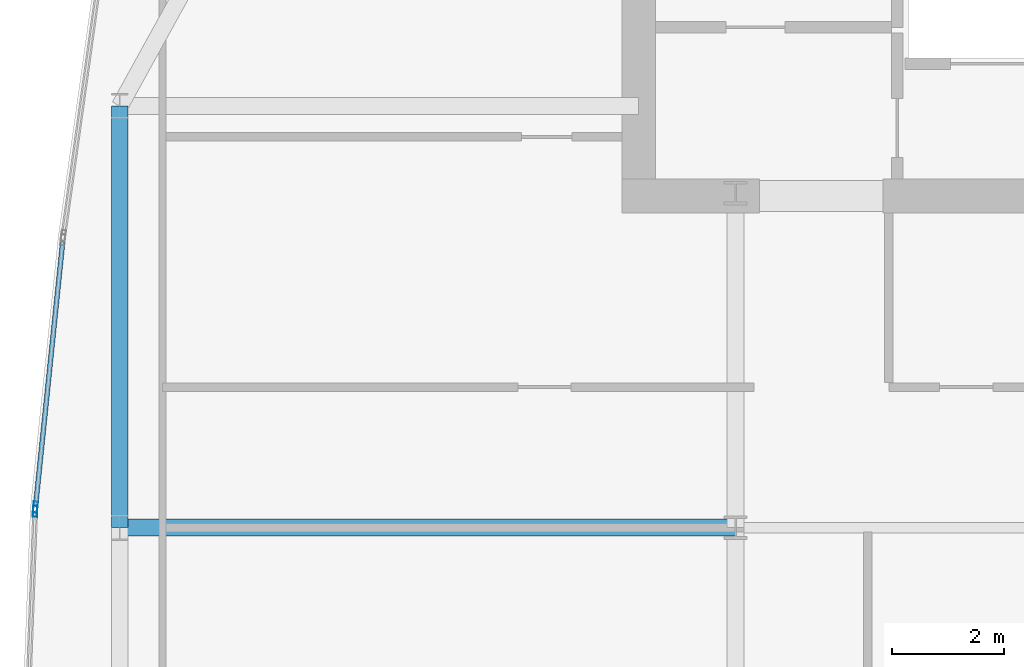
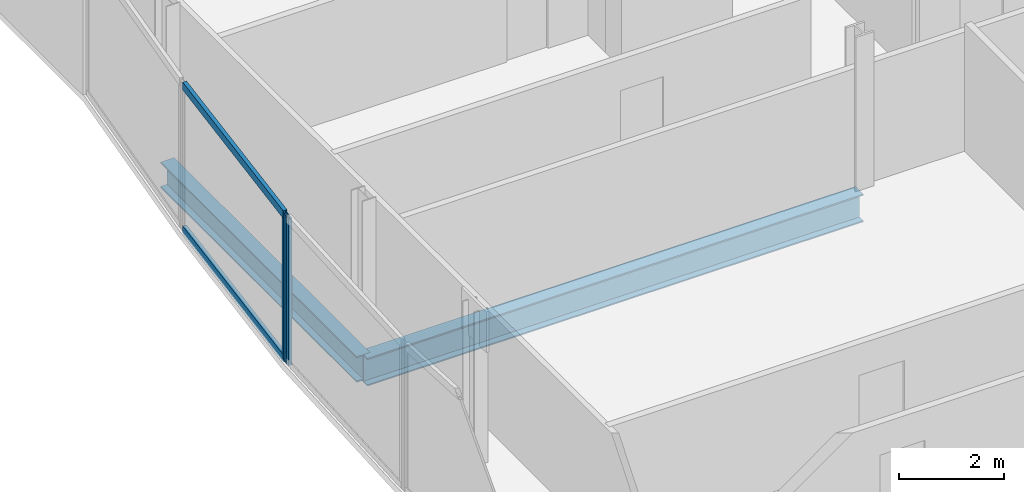
# One storey, part 12 of 32: 4 members, 2 beams, 2 elements without a shape of their own.
"""IFC4 building model written with IfcOpenShell, lengths in metres."""

from ifc_helpers import new_model, si_unit, direction, frame, origin, origin_2d, place, context, subcontext, project, spatial, hollow_rectangle, i_section, extrude, material, material_profile, profile_set, type_object, element, aggregate, save


model = new_model("IFC4")

# Units and contexts
model_context = context("Model", 3, precision=1e-05, world=origin(), true_north=direction((0.0, 1.0)))
body_context = subcontext(model_context, "Body", "Model", "MODEL_VIEW")
ifc_project = project(units=[si_unit("LENGTHUNIT", "METRE"), si_unit("AREAUNIT", "SQUARE_METRE"), si_unit("VOLUMEUNIT", "CUBIC_METRE"), si_unit("PLANEANGLEUNIT", "RADIAN"), si_unit("MASSUNIT", "GRAM", prefix="KILO")], contexts=[model_context])

# Site, building, storey
site_placement = place(None, origin())
site = spatial("IfcSite", under=ifc_project, at=site_placement, CompositionType="ELEMENT")
building_placement = place(site_placement, origin())
building = spatial("IfcBuilding", under=site, at=building_placement, Name="Khoronbel Lancet Exchange", CompositionType="ELEMENT")
storey_placement = place(building_placement, frame((0.0, 0.0, 228.199951171875)))
storey = spatial("IfcBuildingStorey", under=building, at=storey_placement, Name="L58", CompositionType="ELEMENT", Elevation=228.199951171875)

# Beams
ifc_material_1 = material(Name="Steel S355", Category="steel")
ifc_material_profile_1 = material_profile(ifc_material_1, i_section(OverallWidth=0.300048828125, OverallDepth=0.64990234375, WebThickness=0.01611328125, FlangeThickness=0.031005859375, at=origin_2d()), Name="HEB 650")
ifc_profile_set_1 = profile_set([ifc_material_profile_1], Name="Steel S355")
beam_type_1 = type_object("IfcBeamType", Name="BM-BG4", PredefinedType="BEAM", material=ifc_profile_set_1)
beam_1_placement = place(storey_placement, frame((7.27001953125, 35.699951171875, -0.48486328125), z_axis=(1.0, 0.0, 0.0), x_axis=(0.0, 1.0, 0.0)))
element("IfcBeam", 1, at=beam_1_placement, inside=storey, type_object=beam_type_1, Name="Level L58 west lens tie girder LG4W", PredefinedType="BEAM", context=body_context, shape_type="SweptSolid", body=[
    extrude(i_section(OverallWidth=0.300048828125, OverallDepth=0.64990234375, WebThickness=0.01611328125, FlangeThickness=0.031005859375, at=origin_2d()), origin(), (0.0, 0.0, 1.0), 10.955078125),
])
ifc_material_profile_2 = material_profile(ifc_material_1, i_section(OverallWidth=0.300048828125, OverallDepth=0.60009765625, WebThickness=0.015380859375, FlangeThickness=0.030029296875, at=origin_2d()), Name="HEB 600")
ifc_profile_set_2 = profile_set([ifc_material_profile_2], Name="Steel S355")
beam_type_2 = type_object("IfcBeamType", Name="BM-BSP2", PredefinedType="SPANDREL", material=ifc_profile_set_2)
beam_2_placement = place(storey_placement, frame((7.27001953125, 43.199951171875, -0.4599609375), z_axis=(0.0, -1.0, 0.0), x_axis=(1.0, 0.0, 0.0)))
element("IfcBeam", 2, at=beam_2_placement, inside=storey, type_object=beam_type_2, Name="Level L58 perimeter spandrel beam SP17", PredefinedType="SPANDREL", context=body_context, shape_type="SweptSolid", body=[
    extrude(i_section(OverallWidth=0.300048828125, OverallDepth=0.60009765625, WebThickness=0.015380859375, FlangeThickness=0.030029296875, at=origin_2d()), origin(), (0.0, 0.0, 1.0), 7.5),
])

# Curtain wall, member
ifc_material_2 = material(Name="Low-E Solar Control Insulating Glass", Category="glass")
curtain_wall_type = type_object("IfcCurtainWallType", Name="CW-4", PredefinedType="NOTDEFINED", material=ifc_material_2)
curtain_wall_1_placement = place(storey_placement, origin())
curtain_wall_1 = element("IfcCurtainWall", 3, at=curtain_wall_1_placement, inside=storey, type_object=curtain_wall_type, Name="Unitised curtain wall CW-L58-E07", PredefinedType="NOTDEFINED")
ifc_material_3 = material(Name="Bronze-Anodised Aluminium 6063-T6", Category="aluminium")
ifc_material_profile_3 = material_profile(ifc_material_3, hollow_rectangle(XDim=0.074951171875, YDim=0.199951171875, WallThickness=0.0048828125, at=origin_2d()), Name="ALU MULLION 75x200")
ifc_profile_set_3 = profile_set([ifc_material_profile_3], Name="Bronze-Anodised Aluminium 6063-T6")
member_type_1 = type_object("IfcMemberType", Name="MEM-CWM2", PredefinedType="MULLION", material=ifc_profile_set_3)
member_1_placement = place(storey_placement, frame((5.7646484375, 35.989501953125, 0.0), z_axis=(0.0, 0.0, 1.0), x_axis=(-0.99929538512, 0.037533095775, 0.0)))
member_1 = element("IfcMember", 4, at=member_1_placement, type_object=member_type_1, Name="CW4 mullion 2", PredefinedType="MULLION", context=body_context, shape_type="SweptSolid", body=[
    extrude(hollow_rectangle(XDim=0.074951171875, YDim=0.199951171875, WallThickness=0.0048828125, at=origin_2d()), origin(), (0.0, 0.0, 1.0), 3.43994140625),
])
aggregate(curtain_wall_1, [member_1])

# Curtain wall, members
curtain_wall_2_placement = place(storey_placement, origin())
curtain_wall_2 = element("IfcCurtainWall", 5, at=curtain_wall_2_placement, inside=storey, type_object=curtain_wall_type, Name="Unitised curtain wall CW-L58-E08", PredefinedType="NOTDEFINED")
member_2_placement = place(storey_placement, frame((5.769775390625, 36.064208984375, 0.0), z_axis=(0.0, 0.0, 1.0), x_axis=(-0.994772481584, 0.102116158773, 0.0)))
member_2 = element("IfcMember", 6, at=member_2_placement, type_object=member_type_1, Name="CW4 mullion 1", PredefinedType="MULLION", context=body_context, shape_type="SweptSolid", body=[
    extrude(hollow_rectangle(XDim=0.074951171875, YDim=0.199951171875, WallThickness=0.0048828125, at=origin_2d()), origin(), (0.0, 0.0, 1.0), 3.43994140625),
])
ifc_material_profile_4 = material_profile(ifc_material_3, hollow_rectangle(XDim=0.0849609375, YDim=0.179931640625, WallThickness=0.0048828125, at=origin_2d()), Name="ALU TRANSOM 85x180")
ifc_profile_set_4 = profile_set([ifc_material_profile_4], Name="Bronze-Anodised Aluminium 6063-T6")
member_type_2 = type_object("IfcMemberType", Name="MEM-CWT1", PredefinedType="USERDEFINED", material=ifc_profile_set_4)
member_3_placement = place(storey_placement, frame((5.773681640625, 36.1015625, 0.04248046875), z_axis=(0.102134213068, 0.994770628095, 0.0), x_axis=(-0.994770628095, 0.102134213068, 0.0)))
member_3 = element("IfcMember", 7, at=member_3_placement, type_object=member_type_2, Name="CW4 transom 1.1", ObjectType="TRANSOM", PredefinedType="USERDEFINED", context=body_context, shape_type="SweptSolid", body=[
    extrude(hollow_rectangle(XDim=0.0849609375, YDim=0.179931640625, WallThickness=0.0048828125, at=origin_2d()), origin(), (0.0, 0.0, 1.0), 4.704345703125),
])
member_4_placement = place(storey_placement, frame((5.773681640625, 36.1015625, 3.3974609375), z_axis=(0.102134213068, 0.994770628095, 0.0), x_axis=(-0.994770628095, 0.102134213068, 0.0)))
member_4 = element("IfcMember", 8, at=member_4_placement, type_object=member_type_2, Name="CW4 transom 1.2", ObjectType="TRANSOM", PredefinedType="USERDEFINED", context=body_context, shape_type="SweptSolid", body=[
    extrude(hollow_rectangle(XDim=0.0849609375, YDim=0.179931640625, WallThickness=0.0048828125, at=origin_2d()), origin(), (0.0, 0.0, 1.0), 4.704345703125),
])
aggregate(curtain_wall_2, [member_2, member_3, member_4])

save(model, "model.ifc")
